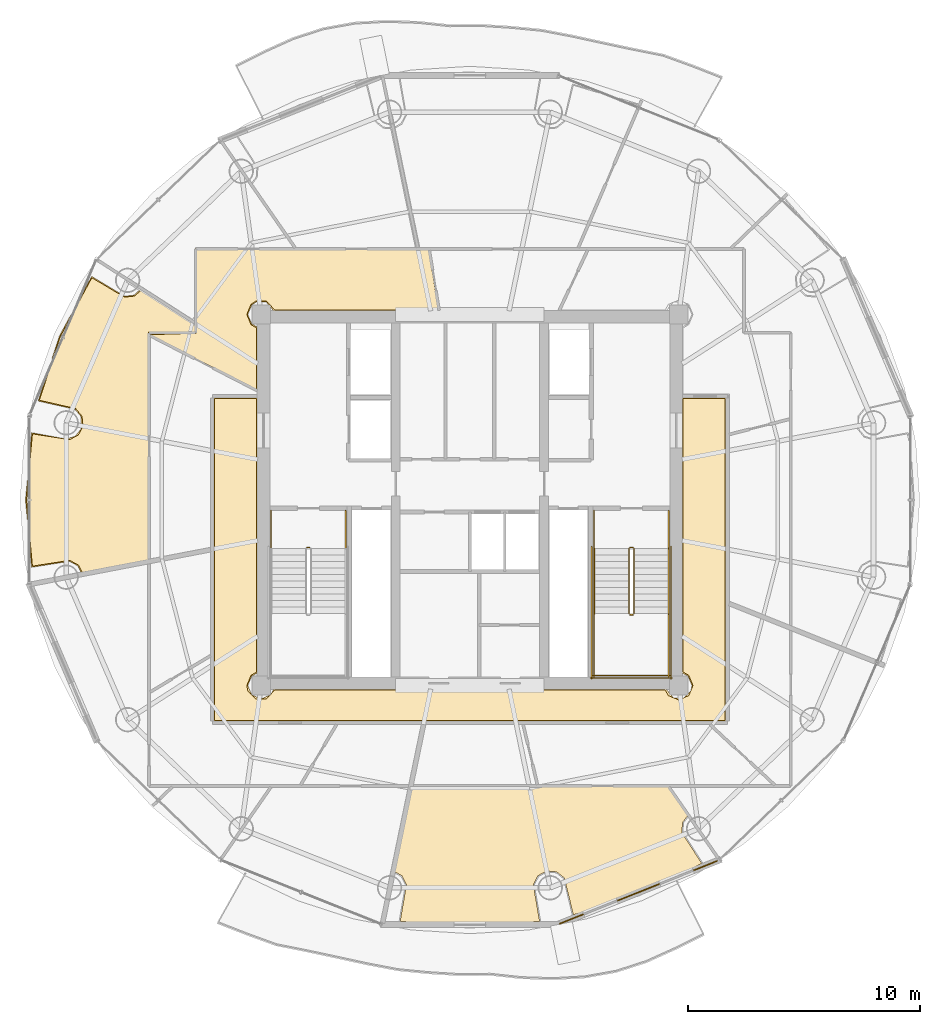
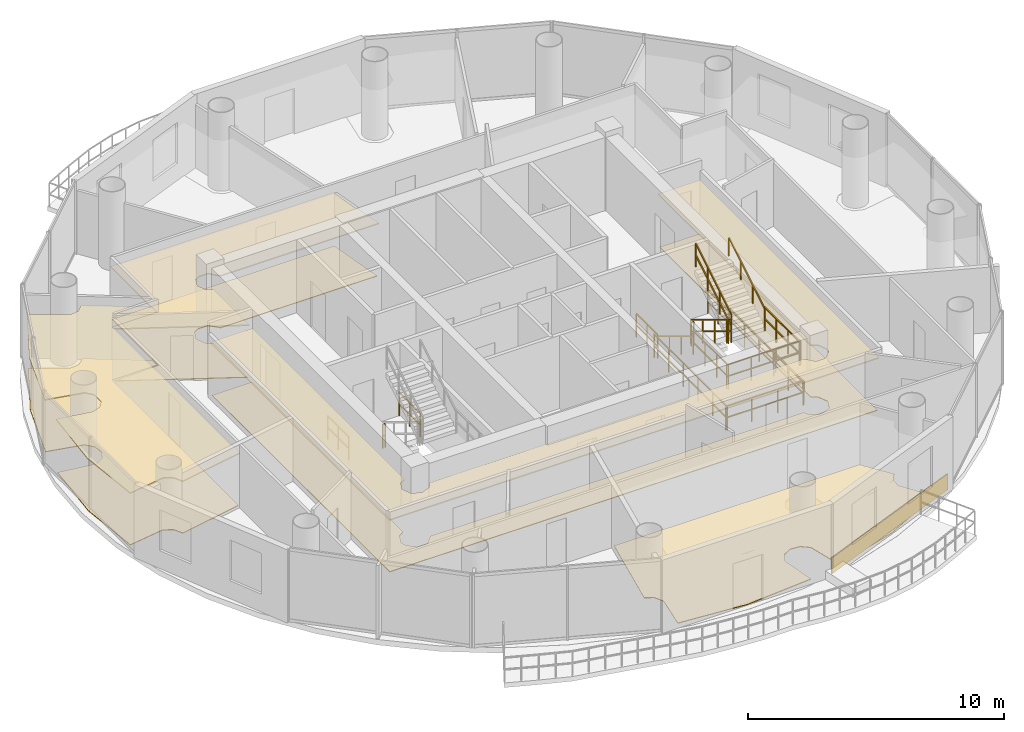
# One storey, part 22 of 23: 17 railings, 8 coverings.
"""IFC4 building model written with IfcOpenShell, lengths in metres."""

from ifc_helpers import new_model, si_unit, direction, frame, origin, origin_2d, place, context, subcontext, project, spatial, polyline, rectangle, outline, extrude, source, transform, mapped, material, layer, layer_set, type_object, element, save


model = new_model("IFC4")

# Units and contexts
model_context = context("Model", 3, precision=1e-05, world=origin(), true_north=direction((-0.2419218956, 0.970295726276)))
body_context = subcontext(model_context, "Body", "Model", "MODEL_VIEW")
ifc_project = project(units=[si_unit("LENGTHUNIT", "METRE"), si_unit("AREAUNIT", "SQUARE_METRE"), si_unit("VOLUMEUNIT", "CUBIC_METRE"), si_unit("PLANEANGLEUNIT", "RADIAN"), si_unit("MASSUNIT", "GRAM", prefix="KILO")], contexts=[model_context])

# Site, building, storey
site_placement = place(None, origin())
site = spatial("IfcSite", under=ifc_project, at=site_placement, CompositionType="ELEMENT")
building_placement = place(site_placement, origin())
building = spatial("IfcBuilding", under=site, at=building_placement, Name="Cobrevalo Terracotta Tower", CompositionType="ELEMENT")
storey_placement = place(building_placement, frame((0.0, 0.0, 255.699951171875)))
storey = spatial("IfcBuildingStorey", under=building, at=storey_placement, Name="L67", CompositionType="ELEMENT", Elevation=255.699951171875)

# Coverings
ifc_material_1 = material(Name="Engineered Brazilian hardwood flooring", Category="wood")
ifc_layer_1 = layer(ifc_material_1, 0.028076171875)
ifc_layer_set_1 = layer_set([ifc_layer_1], Name="Engineered Brazilian hardwood flooring")
covering_type_1 = type_object("IfcCoveringType", Name="Engineered Hardwood Suite Flooring 28", PredefinedType="FLOORING", material=ifc_layer_set_1)
covering_1_placement = place(storey_placement, origin())
element("IfcCovering", 1, at=covering_1_placement, inside=storey, type_object=covering_type_1, Name="Flat L67A Private Cinema Room floor finish", PredefinedType="FLOORING", context=body_context, shape_type="SweptSolid", body=[
    extrude(outline(polyline([(21.3154296875, 23.621337890625), (21.118408203125, 23.9931640625), (20.740966796875, 24.198486328125), (19.1357421875, 23.948974609375), (18.880126953125, 26.800048828125), (19.1357421875, 29.65087890625), (20.740966796875, 29.401611328125), (21.118408203125, 29.60693359375), (21.318115234375, 29.9873046875), (21.272705078125, 30.41455078125), (20.99755859375, 30.74462890625), (19.43505859375, 31.1005859375), (20.33544921875, 33.848876953125), (21.699951171875, 36.382568359375), (23.1103515625, 35.5439453125), (23.537109375, 35.593994140625), (23.864501953125, 35.88037109375), (26.155029296875, 34.4052734375), (26.155029296875, 34.030029296875), (24.14501953125, 34.030029296875), (24.14501953125, 24.163818359375), (21.3154296875, 23.621337890625)])), origin(), (0.0, 0.0, 1.0), 0.030029296875),
])
covering_2_placement = place(storey_placement, origin())
element("IfcCovering", 2, at=covering_2_placement, inside=storey, type_object=covering_type_1, Name="Flat L67A Private Library Meeting Room floor finish", PredefinedType="FLOORING", context=body_context, shape_type="SweptSolid", body=[
    extrude(outline(polyline([(28.804931640625, 31.551025390625), (24.18505859375, 33.927001953125), (26.195068359375, 33.989990234375), (26.195068359375, 37.60498046875), (36.222412109375, 37.60498046875), (36.64697265625, 34.9951171875), (29.58154296875, 34.9951171875), (29.2373046875, 35.373291015625), (28.7626953125, 35.373291015625), (28.561279296875, 35.23876953125), (28.379638671875, 34.800048828125), (28.561279296875, 34.361328125), (28.804931640625, 34.218505859375), (28.804931640625, 31.551025390625)])), origin(), (0.0, 0.0, 1.0), 0.030029296875),
])
covering_3_placement = place(storey_placement, origin())
element("IfcCovering", 3, at=covering_3_placement, inside=storey, type_object=covering_type_1, Name="Flat L67C Living and Dining Room floor finish", PredefinedType="FLOORING", context=body_context, shape_type="SweptSolid", body=[
    extrude(outline(polyline([(45.317138671875, 9.7822265625), (42.45947265625, 8.9140625), (42.074951171875, 10.49365234375), (41.74072265625, 10.763671875), (41.312744140625, 10.80224609375), (40.935546875, 10.596923828125), (40.73583984375, 10.21630859375), (41.005859375, 8.635498046875), (38.0, 8.380126953125), (34.994140625, 8.635498046875), (35.26416015625, 10.21630859375), (35.064453125, 10.596923828125), (34.71728515625, 10.79296875), (35.470947265625, 14.445068359375), (46.5400390625, 14.445068359375), (47.40283203125, 13.200439453125), (47.17236328125, 12.893798828125), (47.138427734375, 12.465576171875), (47.99853515625, 11.130126953125), (45.317138671875, 9.7822265625)])), origin(), (0.0, 0.0, 1.0), 0.030029296875),
])
ifc_material_2 = material(Name="Honed terracotta and granite tile", Category="masonry")
ifc_layer_2 = layer(ifc_material_2, 0.034912109375)
ifc_layer_set_2 = layer_set([ifc_layer_2], Name="Honed terracotta and granite tile")
covering_type_2 = type_object("IfcCoveringType", Name="Honed Terracotta & Granite Interior Flooring 35", PredefinedType="FLOORING", material=ifc_layer_set_2)
covering_4_placement = place(storey_placement, origin())
element("IfcCovering", 4, at=covering_4_placement, inside=storey, type_object=covering_type_2, Name="L67 Residential Floor Corridor floor finish", PredefinedType="FLOORING", context=body_context, shape_type="SweptSolid", body=[
    extrude(outline(polyline([(26.9951171875, 31.179931640625), (28.804931640625, 31.179931640625), (28.804931640625, 19.381591796875), (28.561279296875, 19.23876953125), (28.379638671875, 18.800048828125), (28.4267578125, 18.5625), (28.7626953125, 18.226806640625), (29.2373046875, 18.226806640625), (29.58154296875, 18.60498046875), (46.41845703125, 18.60498046875), (46.561279296875, 18.361328125), (47.0, 18.1796875), (47.438720703125, 18.361328125), (47.620361328125, 18.800048828125), (47.438720703125, 19.23876953125), (47.195068359375, 19.381591796875), (47.195068359375, 31.179931640625), (49.0048828125, 31.179931640625), (49.0048828125, 17.294921875), (26.9951171875, 17.294921875), (26.9951171875, 31.179931640625)])), origin(), (0.0, 0.0, 1.0), 0.030029296875),
])
ifc_material_3 = material(Name="Acoustic perforated gypsum ceiling", Category="gypsum")
ifc_layer_3 = layer(ifc_material_3, 0.050048828125)
ifc_layer_set_3 = layer_set([ifc_layer_3], Name="Acoustic perforated gypsum ceiling")
covering_type_3 = type_object("IfcCoveringType", Name="Perforated Acoustic Gypsum Ceiling 50", PredefinedType="CEILING", material=ifc_layer_set_3)
covering_5_placement = place(storey_placement, frame((0.0, 0.0, 2.5)))
element("IfcCovering", 5, at=covering_5_placement, inside=storey, type_object=covering_type_3, Name="L67 Residential Floor Corridor acoustic ceiling", PredefinedType="CEILING", context=body_context, shape_type="SweptSolid", body=[
    extrude(outline(polyline([(26.949951171875, 31.22509765625), (28.85009765625, 31.22509765625), (28.85009765625, 19.3447265625), (28.59375, 19.206298828125), (28.425537109375, 18.800048828125), (28.59375, 18.393798828125), (29.0, 18.2255859375), (29.40625, 18.393798828125), (29.544677734375, 18.64990234375), (46.455322265625, 18.64990234375), (46.780029296875, 18.269287109375), (47.219970703125, 18.269287109375), (47.53076171875, 18.580078125), (47.574462890625, 18.800048828125), (47.40625, 19.206298828125), (47.14990234375, 19.3447265625), (47.14990234375, 31.22509765625), (49.050048828125, 31.22509765625), (49.050048828125, 17.25), (26.949951171875, 17.25), (26.949951171875, 31.22509765625)])), origin(), (0.0, 0.0, 1.0), 0.050048828125),
])
covering_6_placement = place(storey_placement, frame((0.0, 0.0, 2.5)))
element("IfcCovering", 6, at=covering_6_placement, inside=storey, type_object=covering_type_3, Name="Flat L67A Private Cinema Room acoustic ceiling", PredefinedType="CEILING", context=body_context, shape_type="SweptSolid", body=[
    extrude(outline(polyline([(21.283935546875, 23.569580078125), (21.086181640625, 23.96142578125), (20.731689453125, 24.154296875), (19.100830078125, 23.896484375), (18.8349609375, 26.800048828125), (19.100830078125, 29.703369140625), (20.59619140625, 29.431396484375), (20.9814453125, 29.551513671875), (21.235107421875, 29.865234375), (21.23095703125, 30.39697265625), (20.97265625, 30.70703125), (19.3818359375, 31.06494140625), (20.2939453125, 33.86669921875), (21.687744140625, 36.44384765625), (23.118408203125, 35.588623046875), (23.51904296875, 35.635498046875), (23.853271484375, 35.941162109375), (26.199951171875, 34.4296875), (26.199951171875, 33.985107421875), (24.18994140625, 33.985107421875), (24.18994140625, 24.126708984375), (21.283935546875, 23.569580078125)])), origin(), (0.0, 0.0, 1.0), 0.050048828125),
])
covering_7_placement = place(storey_placement, frame((0.0, 0.0, 2.5)))
element("IfcCovering", 7, at=covering_7_placement, inside=storey, type_object=covering_type_3, Name="Flat L67A Private Library Meeting Room acoustic ceiling", PredefinedType="CEILING", context=body_context, shape_type="SweptSolid", body=[
    extrude(outline(polyline([(28.85009765625, 31.477294921875), (24.139892578125, 33.8994140625), (24.139892578125, 34.034912109375), (26.14990234375, 34.034912109375), (26.14990234375, 37.64990234375), (36.2607421875, 37.64990234375), (36.69970703125, 34.949951171875), (29.544677734375, 34.949951171875), (29.219970703125, 35.330810546875), (28.780029296875, 35.330810546875), (28.59375, 35.206298828125), (28.425537109375, 34.800048828125), (28.59375, 34.393798828125), (28.85009765625, 34.25537109375), (28.85009765625, 31.477294921875)])), origin(), (0.0, 0.0, 1.0), 0.050048828125),
])

# Railings
ifc_material_4 = material(Name="Brushed stainless steel", Category="steel")
railing_type_1 = type_object("IfcRailingType", Name="Stainless Steel Stair Handrail 900", PredefinedType="HANDRAIL", material=ifc_material_4)
railing_1_placement = place(storey_placement, frame((43.35498046875, 24.699951171875, 0.17041015625)))
element("IfcRailing", 8, at=railing_1_placement, inside=storey, type_object=railing_type_1, Name="L67 ST-2 stair handrail 1", PredefinedType="HANDRAIL", context=body_context, shape_type="SweptSolid", body=[
    extrude(rectangle(XDim=0.048095703125, YDim=0.048095703125, at=origin_2d()), frame((0.0, 0.0, 0.8759765625), z_axis=(0.0, -0.854169791009, 0.51999420009), x_axis=(1.0, 0.0, 0.0)), (0.0, 0.0, 1.0), 3.278076171875),
    extrude(rectangle(XDim=0.0419921875, YDim=0.0419921875, at=origin_2d()), origin(), (0.0, 0.0, 1.0), 0.851806640625),
    extrude(rectangle(XDim=0.0419921875, YDim=0.0419921875, at=origin_2d()), frame((0.0, -0.933349609375, 0.568115234375)), (0.0, 0.0, 1.0), 0.851806640625),
    extrude(rectangle(XDim=0.0419921875, YDim=0.0419921875, at=origin_2d()), frame((0.0, -1.86669921875, 1.136474609375)), (0.0, 0.0, 1.0), 0.851806640625),
    extrude(rectangle(XDim=0.0419921875, YDim=0.0419921875, at=origin_2d()), frame((0.0, -2.800048828125, 1.70458984375)), (0.0, 0.0, 1.0), 0.851806640625),
])
railing_2_placement = place(storey_placement, frame((46.574951171875, 21.89990234375, 2.04541015625)))
element("IfcRailing", 9, at=railing_2_placement, inside=storey, type_object=railing_type_1, Name="L67 ST-2 stair handrail 2", PredefinedType="HANDRAIL", context=body_context, shape_type="SweptSolid", body=[
    extrude(rectangle(XDim=0.048095703125, YDim=0.048095703125, at=origin_2d()), frame((0.0, 0.0, 0.8759765625), z_axis=(0.0, 0.854169791009, 0.51999420009), x_axis=(-1.0, 0.0, 0.0)), (0.0, 0.0, 1.0), 3.278076171875),
    extrude(rectangle(XDim=0.0419921875, YDim=0.0419921875, at=origin_2d()), origin(), (0.0, 0.0, 1.0), 0.851806640625),
    extrude(rectangle(XDim=0.0419921875, YDim=0.0419921875, at=origin_2d()), frame((0.0, 0.933349609375, 0.568115234375)), (0.0, 0.0, 1.0), 0.851806640625),
    extrude(rectangle(XDim=0.0419921875, YDim=0.0419921875, at=origin_2d()), frame((0.0, 1.86669921875, 1.136474609375)), (0.0, 0.0, 1.0), 0.851806640625),
    extrude(rectangle(XDim=0.0419921875, YDim=0.0419921875, at=origin_2d()), frame((0.0, 2.800048828125, 1.70458984375)), (0.0, 0.0, 1.0), 0.851806640625),
])
ifc_material_5 = material(Name="Painted galvanized steel", Category="steel")
railing_type_2 = type_object("IfcRailingType", Name="Stair Well Guard Balustrade 1150", PredefinedType="GUARDRAIL", material=ifc_material_5)
railing_3_placement = place(storey_placement, frame((30.97509765625, 24.75, 0.0)))
element("IfcRailing", 10, at=railing_3_placement, inside=storey, type_object=railing_type_2, Name="L67 ST-1 stair guard 7", PredefinedType="GUARDRAIL", context=body_context, shape_type="SweptSolid", body=[
    extrude(rectangle(XDim=0.048095703125, YDim=0.048095703125, at=origin_2d()), frame((0.0, 0.0, 1.1259765625), z_axis=(1.0, 0.0, 0.0), x_axis=(0.0, 1.0, 0.0)), (0.0, 0.0, 1.0), 0.119873046875),
    extrude(rectangle(XDim=0.048095703125, YDim=0.048095703125, at=origin_2d()), frame((0.0, 0.0, 0.574951171875), z_axis=(1.0, 0.0, 0.0), x_axis=(0.0, 1.0, 0.0)), (0.0, 0.0, 1.0), 0.119873046875),
    extrude(rectangle(XDim=0.0419921875, YDim=0.0419921875, at=origin_2d()), origin(), (0.0, 0.0, 1.0), 1.101806640625),
    extrude(rectangle(XDim=0.0419921875, YDim=0.0419921875, at=origin_2d()), frame((0.119873046875, 0.0, 0.0)), (0.0, 0.0, 1.0), 1.101806640625),
])
for number, where, name in (
    (11, (29.425048828125, 26.35009765625, 0.0), "L67 ST-1 stair guard 8"),
    (12, (32.64501953125, 26.35009765625, 0.0), "L67 ST-1 stair guard 9"),
):
    element("IfcRailing", number, at=place(storey_placement, frame(where)), inside=storey, type_object=railing_type_2, Name=name, PredefinedType="GUARDRAIL", context=body_context, shape_type="SweptSolid", body=[
        extrude(rectangle(XDim=0.048095703125, YDim=0.048095703125, at=origin_2d()), frame((0.0, 0.0, 1.1259765625), z_axis=(0.0, -1.0, 0.0), x_axis=(1.0, 0.0, 0.0)), (0.0, 0.0, 1.0), 1.650146484375),
        extrude(rectangle(XDim=0.048095703125, YDim=0.048095703125, at=origin_2d()), frame((0.0, 0.0, 0.574951171875), z_axis=(0.0, -1.0, 0.0), x_axis=(1.0, 0.0, 0.0)), (0.0, 0.0, 1.0), 1.650146484375),
        extrude(rectangle(XDim=0.0419921875, YDim=0.0419921875, at=origin_2d()), origin(), (0.0, 0.0, 1.0), 1.101806640625),
        extrude(rectangle(XDim=0.0419921875, YDim=0.0419921875, at=origin_2d()), frame((0.0, -0.8251953125, 0.0)), (0.0, 0.0, 1.0), 1.101806640625),
        extrude(rectangle(XDim=0.0419921875, YDim=0.0419921875, at=origin_2d()), frame((0.0, -1.650146484375, 0.0)), (0.0, 0.0, 1.0), 1.101806640625),
    ])
railing_4_placement = place(storey_placement, frame((44.85498046875, 24.699951171875, 0.17041015625)))
element("IfcRailing", 13, at=railing_4_placement, inside=storey, type_object=railing_type_2, Name="L67 ST-2 stair guard 1", PredefinedType="GUARDRAIL", context=body_context, shape_type="SweptSolid", body=[
    extrude(rectangle(XDim=0.048095703125, YDim=0.048095703125, at=origin_2d()), frame((0.0, 0.0, 1.1259765625), z_axis=(0.0, -0.854169791009, 0.51999420009), x_axis=(1.0, 0.0, 0.0)), (0.0, 0.0, 1.0), 3.278076171875),
    extrude(rectangle(XDim=0.048095703125, YDim=0.048095703125, at=origin_2d()), frame((0.0, 0.0, 0.574951171875), z_axis=(0.0, -0.854169791009, 0.51999420009), x_axis=(1.0, 0.0, 0.0)), (0.0, 0.0, 1.0), 3.278076171875),
    extrude(rectangle(XDim=0.0419921875, YDim=0.0419921875, at=origin_2d()), origin(), (0.0, 0.0, 1.0), 1.101806640625),
    extrude(rectangle(XDim=0.0419921875, YDim=0.0419921875, at=origin_2d()), frame((0.0, -0.933349609375, 0.568115234375)), (0.0, 0.0, 1.0), 1.101806640625),
    extrude(rectangle(XDim=0.0419921875, YDim=0.0419921875, at=origin_2d()), frame((0.0, -1.86669921875, 1.136474609375)), (0.0, 0.0, 1.0), 1.101806640625),
    extrude(rectangle(XDim=0.0419921875, YDim=0.0419921875, at=origin_2d()), frame((0.0, -2.800048828125, 1.70458984375)), (0.0, 0.0, 1.0), 1.101806640625),
])
railing_5_placement = place(storey_placement, frame((44.905029296875, 21.85009765625, 1.875)))
element("IfcRailing", 14, at=railing_5_placement, inside=storey, type_object=railing_type_2, Name="L67 ST-2 stair guard 2", PredefinedType="GUARDRAIL", context=body_context, shape_type="SweptSolid", body=[
    extrude(rectangle(XDim=0.048095703125, YDim=0.048095703125, at=origin_2d()), frame((0.0, 0.0, 1.1259765625), z_axis=(1.0, 0.0, 0.0), x_axis=(0.0, 1.0, 0.0)), (0.0, 0.0, 1.0), 0.119873046875),
    extrude(rectangle(XDim=0.048095703125, YDim=0.048095703125, at=origin_2d()), frame((0.0, 0.0, 0.574951171875), z_axis=(1.0, 0.0, 0.0), x_axis=(0.0, 1.0, 0.0)), (0.0, 0.0, 1.0), 0.119873046875),
    extrude(rectangle(XDim=0.0419921875, YDim=0.0419921875, at=origin_2d()), origin(), (0.0, 0.0, 1.0), 1.101806640625),
    extrude(rectangle(XDim=0.0419921875, YDim=0.0419921875, at=origin_2d()), frame((0.119873046875, 0.0, 0.0)), (0.0, 0.0, 1.0), 1.101806640625),
])
for number, where, name in (
    (15, (43.35498046875, 21.89990234375, 1.875), "L67 ST-2 stair guard 3"),
    (16, (46.574951171875, 21.89990234375, 1.875), "L67 ST-2 stair guard 4"),
):
    element("IfcRailing", number, at=place(storey_placement, frame(where)), inside=storey, type_object=railing_type_2, Name=name, PredefinedType="GUARDRAIL", context=body_context, shape_type="SweptSolid", body=[
        extrude(rectangle(XDim=0.048095703125, YDim=0.048095703125, at=origin_2d()), frame((0.0, 0.0, 1.1259765625), z_axis=(0.0, -1.0, 0.0), x_axis=(1.0, 0.0, 0.0)), (0.0, 0.0, 1.0), 2.724853515625),
        extrude(rectangle(XDim=0.048095703125, YDim=0.048095703125, at=origin_2d()), frame((0.0, 0.0, 0.574951171875), z_axis=(0.0, -1.0, 0.0), x_axis=(1.0, 0.0, 0.0)), (0.0, 0.0, 1.0), 2.724853515625),
        extrude(rectangle(XDim=0.0419921875, YDim=0.0419921875, at=origin_2d()), origin(), (0.0, 0.0, 1.0), 1.101806640625),
        extrude(rectangle(XDim=0.0419921875, YDim=0.0419921875, at=origin_2d()), frame((0.0, -0.908203125, 0.0)), (0.0, 0.0, 1.0), 1.101806640625),
        extrude(rectangle(XDim=0.0419921875, YDim=0.0419921875, at=origin_2d()), frame((0.0, -1.816650390625, 0.0)), (0.0, 0.0, 1.0), 1.101806640625),
        extrude(rectangle(XDim=0.0419921875, YDim=0.0419921875, at=origin_2d()), frame((0.0, -2.724853515625, 0.0)), (0.0, 0.0, 1.0), 1.101806640625),
    ])
railing_6_placement = place(storey_placement, frame((43.304931640625, 19.22509765625, 1.875)))
element("IfcRailing", 17, at=railing_6_placement, inside=storey, type_object=railing_type_2, Name="L67 ST-2 stair guard 5", PredefinedType="GUARDRAIL", context=body_context, shape_type="SweptSolid", body=[
    extrude(rectangle(XDim=0.048095703125, YDim=0.048095703125, at=origin_2d()), frame((0.0, 0.0, 1.1259765625), z_axis=(1.0, 0.0, 0.0), x_axis=(0.0, 1.0, 0.0)), (0.0, 0.0, 1.0), 3.320068359375),
    extrude(rectangle(XDim=0.048095703125, YDim=0.048095703125, at=origin_2d()), frame((0.0, 0.0, 0.574951171875), z_axis=(1.0, 0.0, 0.0), x_axis=(0.0, 1.0, 0.0)), (0.0, 0.0, 1.0), 3.320068359375),
    extrude(rectangle(XDim=0.0419921875, YDim=0.0419921875, at=origin_2d()), origin(), (0.0, 0.0, 1.0), 1.101806640625),
    extrude(rectangle(XDim=0.0419921875, YDim=0.0419921875, at=origin_2d()), frame((1.106689453125, 0.0, 0.0)), (0.0, 0.0, 1.0), 1.101806640625),
    extrude(rectangle(XDim=0.0419921875, YDim=0.0419921875, at=origin_2d()), frame((2.21337890625, 0.0, 0.0)), (0.0, 0.0, 1.0), 1.101806640625),
    extrude(rectangle(XDim=0.0419921875, YDim=0.0419921875, at=origin_2d()), frame((3.320068359375, 0.0, 0.0)), (0.0, 0.0, 1.0), 1.101806640625),
])
railing_7_placement = place(storey_placement, frame((45.074951171875, 21.89990234375, 2.04541015625)))
element("IfcRailing", 18, at=railing_7_placement, inside=storey, type_object=railing_type_2, Name="L67 ST-2 stair guard 6", PredefinedType="GUARDRAIL", context=body_context, shape_type="SweptSolid", body=[
    extrude(rectangle(XDim=0.048095703125, YDim=0.048095703125, at=origin_2d()), frame((0.0, 0.0, 1.1259765625), z_axis=(0.0, 0.854169791009, 0.51999420009), x_axis=(-1.0, 0.0, 0.0)), (0.0, 0.0, 1.0), 3.278076171875),
    extrude(rectangle(XDim=0.048095703125, YDim=0.048095703125, at=origin_2d()), frame((0.0, 0.0, 0.574951171875), z_axis=(0.0, 0.854169791009, 0.51999420009), x_axis=(-1.0, 0.0, 0.0)), (0.0, 0.0, 1.0), 3.278076171875),
    extrude(rectangle(XDim=0.0419921875, YDim=0.0419921875, at=origin_2d()), origin(), (0.0, 0.0, 1.0), 1.101806640625),
    extrude(rectangle(XDim=0.0419921875, YDim=0.0419921875, at=origin_2d()), frame((0.0, 0.933349609375, 0.568115234375)), (0.0, 0.0, 1.0), 1.101806640625),
    extrude(rectangle(XDim=0.0419921875, YDim=0.0419921875, at=origin_2d()), frame((0.0, 1.86669921875, 1.136474609375)), (0.0, 0.0, 1.0), 1.101806640625),
    extrude(rectangle(XDim=0.0419921875, YDim=0.0419921875, at=origin_2d()), frame((0.0, 2.800048828125, 1.70458984375)), (0.0, 0.0, 1.0), 1.101806640625),
])
railing_8_placement = place(storey_placement, frame((44.905029296875, 24.75, 0.0)))
element("IfcRailing", 19, at=railing_8_placement, inside=storey, type_object=railing_type_2, Name="L67 ST-2 stair guard 7", PredefinedType="GUARDRAIL", context=body_context, shape_type="SweptSolid", body=[
    extrude(rectangle(XDim=0.048095703125, YDim=0.048095703125, at=origin_2d()), frame((0.0, 0.0, 1.1259765625), z_axis=(1.0, 0.0, 0.0), x_axis=(0.0, 1.0, 0.0)), (0.0, 0.0, 1.0), 0.119873046875),
    extrude(rectangle(XDim=0.048095703125, YDim=0.048095703125, at=origin_2d()), frame((0.0, 0.0, 0.574951171875), z_axis=(1.0, 0.0, 0.0), x_axis=(0.0, 1.0, 0.0)), (0.0, 0.0, 1.0), 0.119873046875),
    extrude(rectangle(XDim=0.0419921875, YDim=0.0419921875, at=origin_2d()), origin(), (0.0, 0.0, 1.0), 1.101806640625),
    extrude(rectangle(XDim=0.0419921875, YDim=0.0419921875, at=origin_2d()), frame((0.119873046875, 0.0, 0.0)), (0.0, 0.0, 1.0), 1.101806640625),
])
for number, where, name in (
    (20, (43.35498046875, 26.35009765625, 0.0), "L67 ST-2 stair guard 8"),
    (21, (46.574951171875, 26.35009765625, 0.0), "L67 ST-2 stair guard 9"),
):
    element("IfcRailing", number, at=place(storey_placement, frame(where)), inside=storey, type_object=railing_type_2, Name=name, PredefinedType="GUARDRAIL", context=body_context, shape_type="SweptSolid", body=[
        extrude(rectangle(XDim=0.048095703125, YDim=0.048095703125, at=origin_2d()), frame((0.0, 0.0, 1.1259765625), z_axis=(0.0, -1.0, 0.0), x_axis=(1.0, 0.0, 0.0)), (0.0, 0.0, 1.0), 1.650146484375),
        extrude(rectangle(XDim=0.048095703125, YDim=0.048095703125, at=origin_2d()), frame((0.0, 0.0, 0.574951171875), z_axis=(0.0, -1.0, 0.0), x_axis=(1.0, 0.0, 0.0)), (0.0, 0.0, 1.0), 1.650146484375),
        extrude(rectangle(XDim=0.0419921875, YDim=0.0419921875, at=origin_2d()), origin(), (0.0, 0.0, 1.0), 1.101806640625),
        extrude(rectangle(XDim=0.0419921875, YDim=0.0419921875, at=origin_2d()), frame((0.0, -0.8251953125, 0.0)), (0.0, 0.0, 1.0), 1.101806640625),
        extrude(rectangle(XDim=0.0419921875, YDim=0.0419921875, at=origin_2d()), frame((0.0, -1.650146484375, 0.0)), (0.0, 0.0, 1.0), 1.101806640625),
    ])
for number, where, name in (
    (22, (43.2548828125, 24.800048828125, 0.0), "L67 ST-2 stair guard 10"),
    (23, (46.675048828125, 24.800048828125, 0.0), "L67 ST-2 stair guard 11"),
):
    element("IfcRailing", number, at=place(storey_placement, frame(where)), inside=storey, type_object=railing_type_2, Name=name, PredefinedType="GUARDRAIL", context=body_context, shape_type="SweptSolid", body=[
        extrude(rectangle(XDim=0.048095703125, YDim=0.048095703125, at=origin_2d()), frame((0.0, 0.0, 1.1259765625), z_axis=(0.0, -1.0, 0.0), x_axis=(1.0, 0.0, 0.0)), (0.0, 0.0, 1.0), 5.72509765625),
        extrude(rectangle(XDim=0.048095703125, YDim=0.048095703125, at=origin_2d()), frame((0.0, 0.0, 0.574951171875), z_axis=(0.0, -1.0, 0.0), x_axis=(1.0, 0.0, 0.0)), (0.0, 0.0, 1.0), 5.72509765625),
        extrude(rectangle(XDim=0.0419921875, YDim=0.0419921875, at=origin_2d()), origin(), (0.0, 0.0, 1.0), 1.101806640625),
        extrude(rectangle(XDim=0.0419921875, YDim=0.0419921875, at=origin_2d()), frame((0.0, -1.14501953125, 0.0)), (0.0, 0.0, 1.0), 1.101806640625),
        extrude(rectangle(XDim=0.0419921875, YDim=0.0419921875, at=origin_2d()), frame((0.0, -2.2900390625, 0.0)), (0.0, 0.0, 1.0), 1.101806640625),
        extrude(rectangle(XDim=0.0419921875, YDim=0.0419921875, at=origin_2d()), frame((0.0, -3.43505859375, 0.0)), (0.0, 0.0, 1.0), 1.101806640625),
        extrude(rectangle(XDim=0.0419921875, YDim=0.0419921875, at=origin_2d()), frame((0.0, -4.580078125, 0.0)), (0.0, 0.0, 1.0), 1.101806640625),
        extrude(rectangle(XDim=0.0419921875, YDim=0.0419921875, at=origin_2d()), frame((0.0, -5.72509765625, 0.0)), (0.0, 0.0, 1.0), 1.101806640625),
    ])
railing_9_placement = place(storey_placement, frame((43.205078125, 19.125, 0.0)))
element("IfcRailing", 24, at=railing_9_placement, inside=storey, type_object=railing_type_2, Name="L67 ST-2 stair guard 12", PredefinedType="GUARDRAIL", context=body_context, shape_type="SweptSolid", body=[
    extrude(rectangle(XDim=0.048095703125, YDim=0.048095703125, at=origin_2d()), frame((0.0, 0.0, 1.1259765625), z_axis=(1.0, 0.0, 0.0), x_axis=(0.0, 1.0, 0.0)), (0.0, 0.0, 1.0), 3.52001953125),
    extrude(rectangle(XDim=0.048095703125, YDim=0.048095703125, at=origin_2d()), frame((0.0, 0.0, 0.574951171875), z_axis=(1.0, 0.0, 0.0), x_axis=(0.0, 1.0, 0.0)), (0.0, 0.0, 1.0), 3.52001953125),
    extrude(rectangle(XDim=0.0419921875, YDim=0.0419921875, at=origin_2d()), origin(), (0.0, 0.0, 1.0), 1.101806640625),
    extrude(rectangle(XDim=0.0419921875, YDim=0.0419921875, at=origin_2d()), frame((1.17333984375, 0.0, 0.0)), (0.0, 0.0, 1.0), 1.101806640625),
    extrude(rectangle(XDim=0.0419921875, YDim=0.0419921875, at=origin_2d()), frame((2.3466796875, 0.0, 0.0)), (0.0, 0.0, 1.0), 1.101806640625),
    extrude(rectangle(XDim=0.0419921875, YDim=0.0419921875, at=origin_2d()), frame((3.52001953125, 0.0, 0.0)), (0.0, 0.0, 1.0), 1.101806640625),
])

# Covering
ifc_material_6 = material(Name="Glazed terracotta facade cladding tile", Category="masonry")
ifc_layer_4 = layer(ifc_material_6, 0.044921875)
ifc_layer_set_4 = layer_set([ifc_layer_4], Name="Glazed terracotta facade cladding tile")
covering_type_4 = type_object("IfcCoveringType", Name="Architectural terracotta rainscreen spandrel cladding 45 mm", PredefinedType="CLADDING", material=ifc_layer_set_4)
shared_shape = source(origin(), body_context, "Body", "SweptSolid", [
    extrude(rectangle(XDim=7.318359375, YDim=0.044921875, at=origin_2d()), origin(), (0.0, 0.0, 1.0), 0.760009765625),
])
covering_8_placement = place(storey_placement, frame((45.270263671875, 9.882568359375, 0.0400390625), z_axis=(0.0, 0.0, 1.0), x_axis=(0.92871833374, 0.370785998353, 0.0)))
element("IfcCovering", 25, at=covering_8_placement, inside=storey, type_object=covering_type_4, Name="L67 terracotta spandrel cladding S13", PredefinedType="CLADDING", context=body_context, shape_type="MappedRepresentation", body=[
    mapped(shared_shape, transform((0.0, 0.0, 0.0), scale=1.0)),
])

save(model, "model.ifc")
